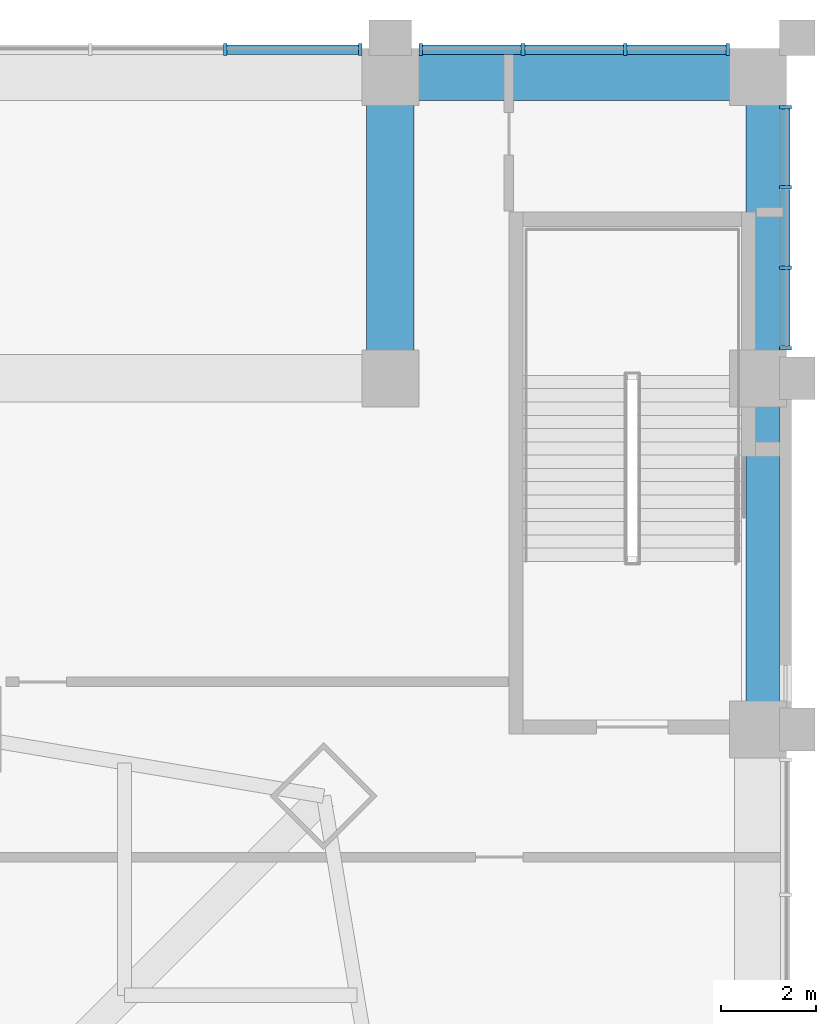
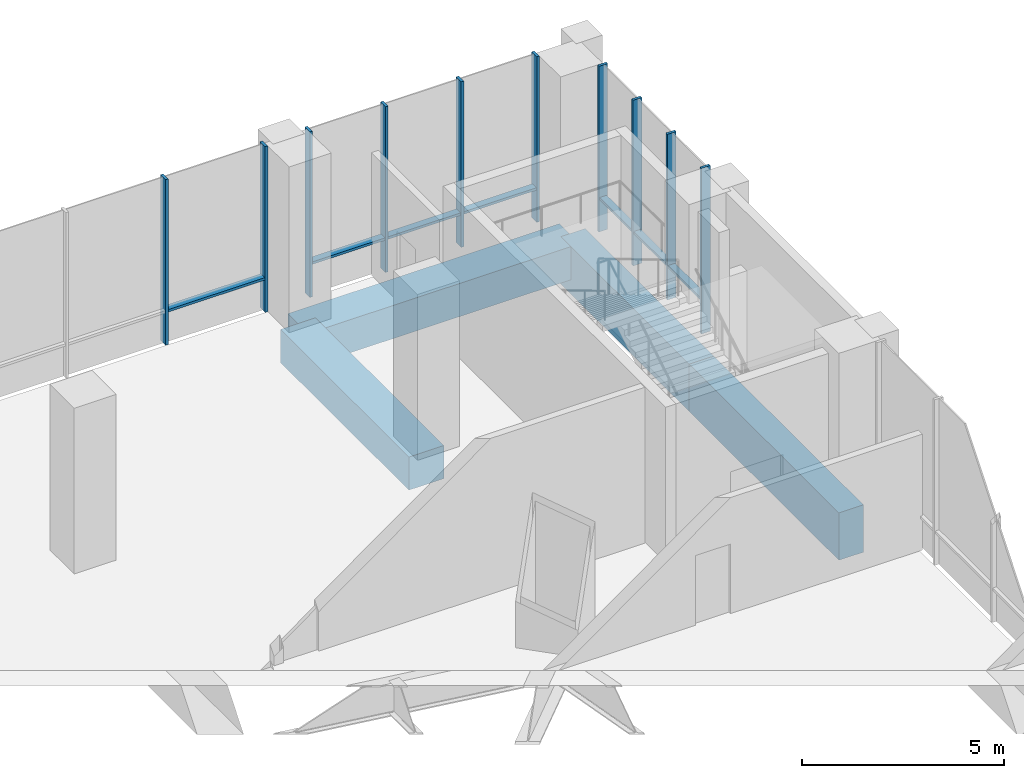
# One storey, part 12 of 24: 17 members, 4 beams, 3 elements without a shape of their own.
"""IFC4 building model written with IfcOpenShell, lengths in metres."""

from ifc_helpers import new_model, si_unit, direction, frame, origin, origin_2d, place, context, subcontext, project, spatial, rectangle, extrude, material, material_profile, profile_set, type_object, element, aggregate, save


model = new_model("IFC4")

# Units and contexts
model_context = context("Model", 3, precision=1e-05, world=origin(), true_north=direction((0.0, 1.0)))
body_context = subcontext(model_context, "Body", "Model", "MODEL_VIEW")
ifc_project = project(units=[si_unit("LENGTHUNIT", "METRE"), si_unit("AREAUNIT", "SQUARE_METRE"), si_unit("VOLUMEUNIT", "CUBIC_METRE"), si_unit("PLANEANGLEUNIT", "RADIAN"), si_unit("MASSUNIT", "GRAM", prefix="KILO")], contexts=[model_context])

# Site, building, storey
site_placement = place(None, origin())
site = spatial("IfcSite", under=ifc_project, at=site_placement, CompositionType="ELEMENT")
building_placement = place(site_placement, origin())
building = spatial("IfcBuilding", under=site, at=building_placement, Name="Khuree Lantern Residences", CompositionType="ELEMENT")
storey_placement = place(building_placement, frame((0.0, 0.0, 11.0)))
storey = spatial("IfcBuildingStorey", under=building, at=storey_placement, Name="L02", CompositionType="ELEMENT", Elevation=11.0)

# Curtain wall, members
ifc_material_1 = material(Name="Bronze anodised aluminium", Category="aluminium")
curtain_wall_type = type_object("IfcCurtainWallType", Name="CW-P PODIUM STOREFRONT CURTAIN WALL", PredefinedType="USERDEFINED", material=ifc_material_1)
curtain_wall_1_placement = place(storey_placement, origin())
curtain_wall_1 = element("IfcCurtainWall", 1, at=curtain_wall_1_placement, inside=storey, type_object=curtain_wall_type, Name="L02 EAST FACE BAY 8 STOREFRONT", ObjectType="Storefront curtain wall", PredefinedType="USERDEFINED")
ifc_material_profile_1 = material_profile(ifc_material_1, rectangle(XDim=0.074951171875, YDim=0.25, at=origin_2d()), Name="M5 75X250")
ifc_profile_set_1 = profile_set([ifc_material_profile_1], Name="Bronze anodised aluminium")
member_type_1 = type_object("IfcMemberType", Name="MULLION M5 STOREFRONT 75X250", PredefinedType="MULLION", material=ifc_profile_set_1)
member_1_placement = place(storey_placement, frame((38.125, 37.83740234375, 0.0), z_axis=(0.0, 0.0, 1.0), x_axis=(0.0, 1.0, 0.0)))
member_1 = element("IfcMember", 2, at=member_1_placement, type_object=member_type_1, Name="L02 EAST FACE BAY 8 MULLION 1", PredefinedType="MULLION", context=body_context, shape_type="SweptSolid", body=[
    extrude(rectangle(XDim=0.074951171875, YDim=0.25, at=origin_2d()), origin(), (0.0, 0.0, 1.0), 5.0),
])
member_2_placement = place(storey_placement, frame((38.125, 39.529052734375, 0.0), z_axis=(0.0, 0.0, 1.0), x_axis=(0.0, 1.0, 0.0)))
member_2 = element("IfcMember", 3, at=member_2_placement, type_object=member_type_1, Name="L02 EAST FACE BAY 8 MULLION 2", PredefinedType="MULLION", context=body_context, shape_type="SweptSolid", body=[
    extrude(rectangle(XDim=0.074951171875, YDim=0.25, at=origin_2d()), origin(), (0.0, 0.0, 1.0), 5.0),
])
member_3_placement = place(storey_placement, frame((38.125, 41.220947265625, 0.0), z_axis=(0.0, 0.0, 1.0), x_axis=(0.0, 1.0, 0.0)))
member_3 = element("IfcMember", 4, at=member_3_placement, type_object=member_type_1, Name="L02 EAST FACE BAY 8 MULLION 3", PredefinedType="MULLION", context=body_context, shape_type="SweptSolid", body=[
    extrude(rectangle(XDim=0.074951171875, YDim=0.25, at=origin_2d()), origin(), (0.0, 0.0, 1.0), 5.0),
])
member_4_placement = place(storey_placement, frame((38.125, 42.91259765625, 0.0), z_axis=(0.0, 0.0, 1.0), x_axis=(0.0, 1.0, 0.0)))
member_4 = element("IfcMember", 5, at=member_4_placement, type_object=member_type_1, Name="L02 EAST FACE BAY 8 MULLION 4", PredefinedType="MULLION", context=body_context, shape_type="SweptSolid", body=[
    extrude(rectangle(XDim=0.074951171875, YDim=0.25, at=origin_2d()), origin(), (0.0, 0.0, 1.0), 5.0),
])

curtain_wall_2_placement = place(storey_placement, origin())
curtain_wall_2 = element("IfcCurtainWall", 6, at=curtain_wall_2_placement, inside=storey, type_object=curtain_wall_type, Name="L02 NORTH FACE BAY 1 STOREFRONT", ObjectType="Storefront curtain wall", PredefinedType="USERDEFINED")
member_5_placement = place(storey_placement, frame((36.91259765625, 44.125, 0.0), z_axis=(0.0, 0.0, 1.0), x_axis=(-1.0, 0.0, 0.0)))
member_5 = element("IfcMember", 7, at=member_5_placement, type_object=member_type_1, Name="L02 NORTH FACE BAY 1 MULLION 1", PredefinedType="MULLION", context=body_context, shape_type="SweptSolid", body=[
    extrude(rectangle(XDim=0.074951171875, YDim=0.25, at=origin_2d()), origin(), (0.0, 0.0, 1.0), 5.0),
])
member_6_placement = place(storey_placement, frame((34.754150390625, 44.125, 0.0), z_axis=(0.0, 0.0, 1.0), x_axis=(-1.0, 0.0, 0.0)))
member_6 = element("IfcMember", 8, at=member_6_placement, type_object=member_type_1, Name="L02 NORTH FACE BAY 1 MULLION 2", PredefinedType="MULLION", context=body_context, shape_type="SweptSolid", body=[
    extrude(rectangle(XDim=0.074951171875, YDim=0.25, at=origin_2d()), origin(), (0.0, 0.0, 1.0), 5.0),
])
member_7_placement = place(storey_placement, frame((32.595947265625, 44.125, 0.0), z_axis=(0.0, 0.0, 1.0), x_axis=(-1.0, 0.0, 0.0)))
member_7 = element("IfcMember", 9, at=member_7_placement, type_object=member_type_1, Name="L02 NORTH FACE BAY 1 MULLION 3", PredefinedType="MULLION", context=body_context, shape_type="SweptSolid", body=[
    extrude(rectangle(XDim=0.074951171875, YDim=0.25, at=origin_2d()), origin(), (0.0, 0.0, 1.0), 5.0),
])
member_8_placement = place(storey_placement, frame((30.4375, 44.125, 0.0), z_axis=(0.0, 0.0, 1.0), x_axis=(-1.0, 0.0, 0.0)))
member_8 = element("IfcMember", 10, at=member_8_placement, type_object=member_type_1, Name="L02 NORTH FACE BAY 1 MULLION 4", PredefinedType="MULLION", context=body_context, shape_type="SweptSolid", body=[
    extrude(rectangle(XDim=0.074951171875, YDim=0.25, at=origin_2d()), origin(), (0.0, 0.0, 1.0), 5.0),
])

curtain_wall_3_placement = place(storey_placement, origin())
curtain_wall_3 = element("IfcCurtainWall", 11, at=curtain_wall_3_placement, inside=storey, type_object=curtain_wall_type, Name="L02 NORTH FACE BAY 2 STOREFRONT", ObjectType="Storefront curtain wall", PredefinedType="USERDEFINED")
member_9_placement = place(storey_placement, frame((29.16259765625, 44.125, 0.0), z_axis=(0.0, 0.0, 1.0), x_axis=(-1.0, 0.0, 0.0)))
member_9 = element("IfcMember", 12, at=member_9_placement, type_object=member_type_1, Name="L02 NORTH FACE BAY 2 MULLION 1", PredefinedType="MULLION", context=body_context, shape_type="SweptSolid", body=[
    extrude(rectangle(XDim=0.074951171875, YDim=0.25, at=origin_2d()), origin(), (0.0, 0.0, 1.0), 5.0),
])
member_10_placement = place(storey_placement, frame((26.32080078125, 44.125, 0.0), z_axis=(0.0, 0.0, 1.0), x_axis=(-1.0, 0.0, 0.0)))
member_10 = element("IfcMember", 13, at=member_10_placement, type_object=member_type_1, Name="L02 NORTH FACE BAY 2 MULLION 2", PredefinedType="MULLION", context=body_context, shape_type="SweptSolid", body=[
    extrude(rectangle(XDim=0.074951171875, YDim=0.25, at=origin_2d()), origin(), (0.0, 0.0, 1.0), 5.0),
])

# Beams
ifc_material_2 = material(Name="Concrete C40/50", Category="concrete")
ifc_material_profile_2 = material_profile(ifc_material_2, rectangle(XDim=1.0, YDim=1.0, at=origin_2d()), Name="RC 1000X1000")
ifc_profile_set_2 = profile_set([ifc_material_profile_2], Name="Concrete C40/50")
beam_type_1 = type_object("IfcBeamType", Name="RB3 PODIUM BEAM RC 1000X1000", PredefinedType="BEAM", material=ifc_profile_set_2)
beam_1_placement = place(storey_placement, frame((29.800048828125, 43.550048828125, -0.800048828125), z_axis=(1.0, 0.0, 0.0), x_axis=(0.0, 1.0, 0.0)))
element("IfcBeam", 14, at=beam_1_placement, inside=storey, type_object=beam_type_1, Name="Podium beam RB-24", PredefinedType="BEAM", context=body_context, shape_type="SweptSolid", body=[
    extrude(rectangle(XDim=1.0, YDim=1.0, at=origin_2d()), origin(), (0.0, 0.0, 1.0), 7.75),
])
beam_2_placement = place(storey_placement, frame((29.800048828125, 37.199951171875, -0.800048828125), z_axis=(0.0, 1.0, 0.0), x_axis=(-1.0, 0.0, 0.0)))
element("IfcBeam", 15, at=beam_2_placement, inside=storey, type_object=beam_type_1, Name="Podium beam RB-44", PredefinedType="BEAM", context=body_context, shape_type="SweptSolid", body=[
    extrude(rectangle(XDim=1.0, YDim=1.0, at=origin_2d()), origin(), (0.0, 0.0, 1.0), 6.35009765625),
])
ifc_material_profile_3 = material_profile(ifc_material_2, rectangle(XDim=0.699951171875, YDim=1.429931640625, at=origin_2d()), Name="RC 700X1430")
ifc_profile_set_3 = profile_set([ifc_material_profile_3], Name="Concrete C40/50")
beam_type_2 = type_object("IfcBeamType", Name="RB7 PODIUM BEAM AT STAIR RC 700X1430", PredefinedType="BEAM", material=ifc_profile_set_3)
beam_3_placement = place(storey_placement, frame((37.64990234375, 29.800048828125, -1.014892578125), z_axis=(0.0, 1.0, 0.0), x_axis=(-1.0, 0.0, 0.0)))
element("IfcBeam", 16, at=beam_3_placement, inside=storey, type_object=beam_type_2, Name="Podium beam at stair RB-51", PredefinedType="BEAM", context=body_context, shape_type="SweptSolid", body=[
    extrude(rectangle(XDim=0.699951171875, YDim=1.429931640625, at=origin_2d()), origin(), (0.0, 0.0, 1.0), 7.39990234375),
])
beam_4_placement = place(storey_placement, frame((37.64990234375, 37.199951171875, -1.014892578125), z_axis=(0.0, 1.0, 0.0), x_axis=(-1.0, 0.0, 0.0)))
element("IfcBeam", 17, at=beam_4_placement, inside=storey, type_object=beam_type_2, Name="Podium beam at stair RB-52", PredefinedType="BEAM", context=body_context, shape_type="SweptSolid", body=[
    extrude(rectangle(XDim=0.699951171875, YDim=1.429931640625, at=origin_2d()), origin(), (0.0, 0.0, 1.0), 6.35009765625),
])

# Member
ifc_material_profile_4 = material_profile(ifc_material_1, rectangle(XDim=0.199951171875, YDim=0.074951171875, at=origin_2d()), Name="T5 200X75")
ifc_profile_set_4 = profile_set([ifc_material_profile_4], Name="Bronze anodised aluminium")
member_type_2 = type_object("IfcMemberType", Name="TRANSOM T5 STOREFRONT 200X75", PredefinedType="USERDEFINED", material=ifc_profile_set_4)
member_11_placement = place(storey_placement, frame((38.1201171875, 37.875, 1.0), z_axis=(0.0, 1.0, 0.0), x_axis=(-1.0, 0.0, 0.0)))
member_11 = element("IfcMember", 18, at=member_11_placement, type_object=member_type_2, Name="L02 EAST FACE BAY 8 TRANSOM 1", ObjectType="Transom", PredefinedType="USERDEFINED", context=body_context, shape_type="SweptSolid", body=[
    extrude(rectangle(XDim=0.199951171875, YDim=0.074951171875, at=origin_2d()), origin(), (0.0, 0.0, 1.0), 1.61669921875),
])

member_12_placement = place(storey_placement, frame((38.1201171875, 39.566650390625, 1.0), z_axis=(0.0, 1.0, 0.0), x_axis=(-1.0, 0.0, 0.0)))
member_12 = element("IfcMember", 19, at=member_12_placement, type_object=member_type_2, Name="L02 EAST FACE BAY 8 TRANSOM 2", ObjectType="Transom", PredefinedType="USERDEFINED", context=body_context, shape_type="SweptSolid", body=[
    extrude(rectangle(XDim=0.199951171875, YDim=0.074951171875, at=origin_2d()), origin(), (0.0, 0.0, 1.0), 1.61669921875),
])

member_13_placement = place(storey_placement, frame((38.1201171875, 41.25830078125, 1.0), z_axis=(0.0, 1.0, 0.0), x_axis=(-1.0, 0.0, 0.0)))
member_13 = element("IfcMember", 20, at=member_13_placement, type_object=member_type_2, Name="L02 EAST FACE BAY 8 TRANSOM 3", ObjectType="Transom", PredefinedType="USERDEFINED", context=body_context, shape_type="SweptSolid", body=[
    extrude(rectangle(XDim=0.199951171875, YDim=0.074951171875, at=origin_2d()), origin(), (0.0, 0.0, 1.0), 1.61669921875),
])

aggregate(curtain_wall_1, [member_1, member_2, member_3, member_4, member_11, member_12, member_13])

member_14_placement = place(storey_placement, frame((36.875, 44.1201171875, 1.0), z_axis=(-1.0, 0.0, 0.0), x_axis=(0.0, -1.0, 0.0)))
member_14 = element("IfcMember", 21, at=member_14_placement, type_object=member_type_2, Name="L02 NORTH FACE BAY 1 TRANSOM 1", ObjectType="Transom", PredefinedType="USERDEFINED", context=body_context, shape_type="SweptSolid", body=[
    extrude(rectangle(XDim=0.199951171875, YDim=0.074951171875, at=origin_2d()), origin(), (0.0, 0.0, 1.0), 2.083251953125),
])

member_15_placement = place(storey_placement, frame((34.716552734375, 44.1201171875, 1.0), z_axis=(-1.0, 0.0, 0.0), x_axis=(0.0, -1.0, 0.0)))
member_15 = element("IfcMember", 22, at=member_15_placement, type_object=member_type_2, Name="L02 NORTH FACE BAY 1 TRANSOM 2", ObjectType="Transom", PredefinedType="USERDEFINED", context=body_context, shape_type="SweptSolid", body=[
    extrude(rectangle(XDim=0.199951171875, YDim=0.074951171875, at=origin_2d()), origin(), (0.0, 0.0, 1.0), 2.083251953125),
])

member_16_placement = place(storey_placement, frame((32.558349609375, 44.1201171875, 1.0), z_axis=(-1.0, 0.0, 0.0), x_axis=(0.0, -1.0, 0.0)))
member_16 = element("IfcMember", 23, at=member_16_placement, type_object=member_type_2, Name="L02 NORTH FACE BAY 1 TRANSOM 3", ObjectType="Transom", PredefinedType="USERDEFINED", context=body_context, shape_type="SweptSolid", body=[
    extrude(rectangle(XDim=0.199951171875, YDim=0.074951171875, at=origin_2d()), origin(), (0.0, 0.0, 1.0), 2.083251953125),
])

aggregate(curtain_wall_2, [member_5, member_6, member_7, member_8, member_14, member_15, member_16])

member_17_placement = place(storey_placement, frame((29.125, 44.1201171875, 1.0), z_axis=(-1.0, 0.0, 0.0), x_axis=(0.0, -1.0, 0.0)))
member_17 = element("IfcMember", 24, at=member_17_placement, type_object=member_type_2, Name="L02 NORTH FACE BAY 2 TRANSOM 1", ObjectType="Transom", PredefinedType="USERDEFINED", context=body_context, shape_type="SweptSolid", body=[
    extrude(rectangle(XDim=0.199951171875, YDim=0.074951171875, at=origin_2d()), origin(), (0.0, 0.0, 1.0), 2.7666015625),
])

aggregate(curtain_wall_3, [member_9, member_10, member_17])

save(model, "model.ifc")
